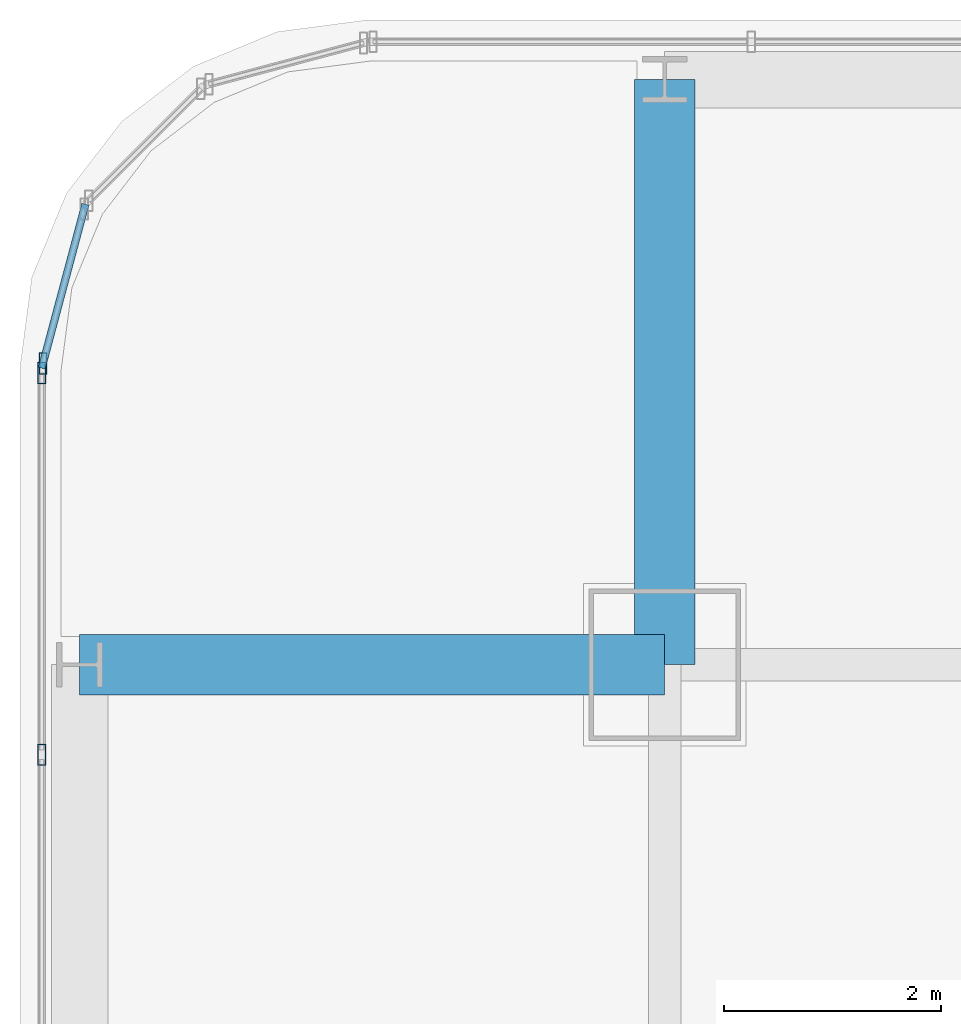
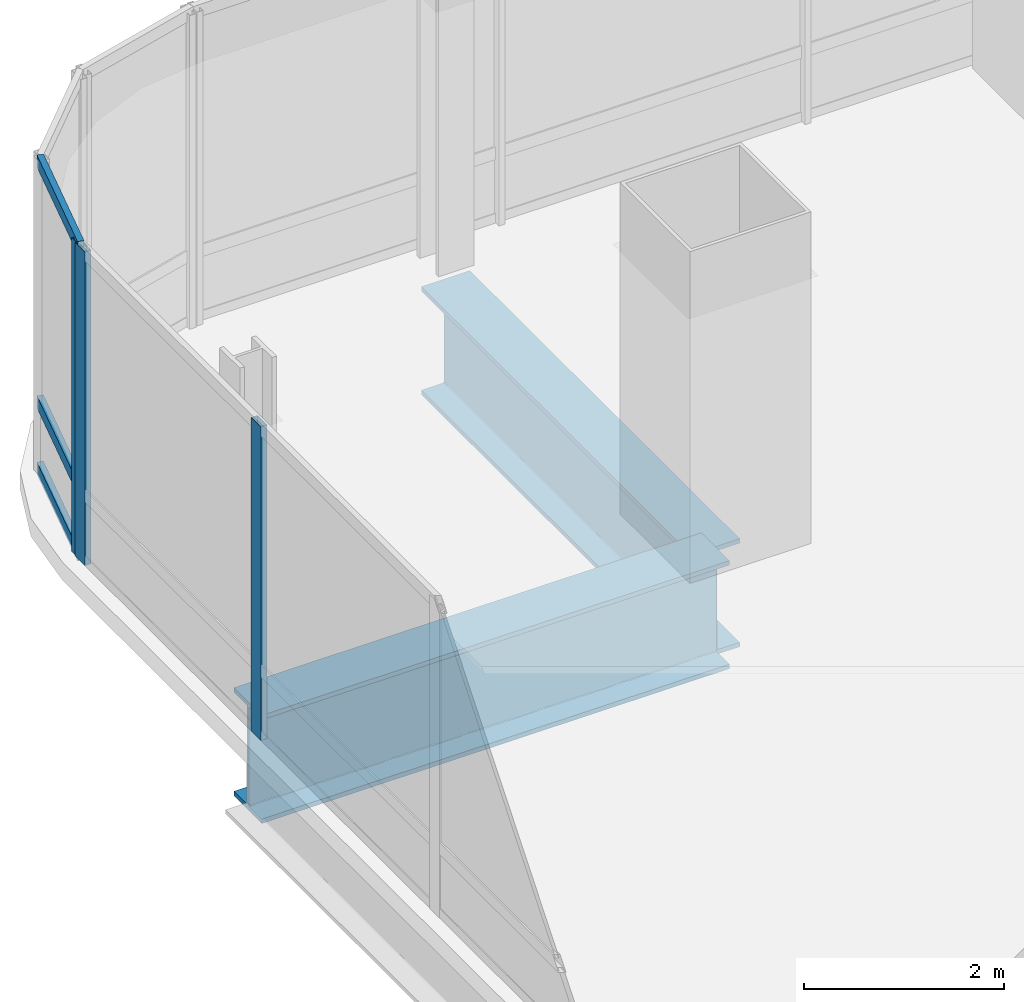
# One storey, part 19 of 38: 6 members, 2 beams, 2 elements without a shape of their own.
"""IFC4 building model written with IfcOpenShell, lengths in metres."""

from ifc_helpers import new_model, si_unit, direction, frame, origin, origin_2d, place, context, subcontext, project, spatial, hollow_rectangle, i_section, extrude, material, material_profile, profile_set, type_object, element, aggregate, save


model = new_model("IFC4")

# Units and contexts
model_context = context("Model", 3, precision=1e-05, world=origin(), true_north=direction((0.0, 1.0)))
body_context = subcontext(model_context, "Body", "Model", "MODEL_VIEW")
ifc_project = project(units=[si_unit("LENGTHUNIT", "METRE"), si_unit("AREAUNIT", "SQUARE_METRE"), si_unit("VOLUMEUNIT", "CUBIC_METRE"), si_unit("PLANEANGLEUNIT", "RADIAN"), si_unit("MASSUNIT", "GRAM", prefix="KILO")], contexts=[model_context])

# Site, building, storey
site_placement = place(None, origin())
site = spatial("IfcSite", under=ifc_project, at=site_placement, CompositionType="ELEMENT")
building_placement = place(site_placement, origin())
building = spatial("IfcBuilding", under=site, at=building_placement, Name="Punatoya Terracotta Tower", CompositionType="ELEMENT")
storey_placement = place(building_placement, frame((0.0, 0.0, 147.89990234375)))
storey = spatial("IfcBuildingStorey", under=building, at=storey_placement, Name="L34", CompositionType="ELEMENT", Elevation=147.89990234375)

# Beams
ifc_material_1 = material(Name="Steel S460", Category="steel")
ifc_material_profile_1 = material_profile(ifc_material_1, i_section(OverallWidth=0.56005859375, OverallDepth=1.320068359375, WebThickness=0.035888671875, FlangeThickness=0.054931640625, FilletRadius=0.01806640625, at=origin_2d()))
ifc_profile_set_1 = profile_set([ifc_material_profile_1], Name="Steel S460")
beam_type = type_object("IfcBeamType", Name="BM-TG-BLK", PredefinedType="BEAM", material=ifc_profile_set_1)
for number, where, z_axis, x_axis, name in (
    (1, (-24.5, 17.5, -0.8798828125), (1.0, 0.0, 0.0), (0.0, 1.0, 0.0), "BM-L34-CANT-W4"),
    (2, (-19.10009765625, 17.5, -0.8798828125), (0.0, 1.0, 0.0), (-1.0, 0.0, 0.0), "BM-L34-CANT-N1"),
):
    element("IfcBeam", number, at=place(storey_placement, frame(where, z_axis=z_axis, x_axis=x_axis)), inside=storey, type_object=beam_type, Name=name, PredefinedType="BEAM", context=body_context, shape_type="SweptSolid", body=[
        extrude(i_section(OverallWidth=0.56005859375, OverallDepth=1.320068359375, WebThickness=0.035888671875, FlangeThickness=0.054931640625, FilletRadius=0.01806640625, at=origin_2d()), origin(), (0.0, 0.0, 1.0), 5.39990234375),
    ])

# Curtain wall, member
ifc_material_2 = material(Name="Aluminium 6063-T6 + Double Low-E Glass", Category="aluminium")
curtain_wall_type = type_object("IfcCurtainWallType", Name="CW-M2", PredefinedType="NOTDEFINED", material=ifc_material_2)
curtain_wall_1_placement = place(storey_placement, origin())
curtain_wall_1 = element("IfcCurtainWall", 3, at=curtain_wall_1_placement, inside=storey, type_object=curtain_wall_type, Name="L34 Curtain Wall CW-L34-CRN12", PredefinedType="NOTDEFINED")
ifc_material_3 = material(Name="Aluminium 6063-T6", Category="aluminium")
ifc_material_profile_2 = material_profile(ifc_material_3, hollow_rectangle(XDim=0.072021484375, YDim=0.195068359375, WallThickness=0.00439453125, at=origin_2d()))
ifc_profile_set_2 = profile_set([ifc_material_profile_2], Name="Aluminium 6063-T6")
member_type_1 = type_object("IfcMemberType", Name="CW-MUL-M2", PredefinedType="MULLION", material=ifc_profile_set_2)
member_1_placement = place(storey_placement, frame((-24.83837890625, 20.280517578125, 0.0), z_axis=(0.0, 0.0, 1.0), x_axis=(1.0, 0.0, 0.0)))
member_1 = element("IfcMember", 4, at=member_1_placement, type_object=member_type_1, Name="CW-L34-CRN12 Mullion 01", PredefinedType="MULLION", context=body_context, shape_type="SweptSolid", body=[
    extrude(hollow_rectangle(XDim=0.072021484375, YDim=0.195068359375, WallThickness=0.00439453125, at=origin_2d()), origin(), (0.0, 0.0, 1.0), 3.830078125),
])

# Curtain wall, members
curtain_wall_2_placement = place(storey_placement, origin())
curtain_wall_2 = element("IfcCurtainWall", 5, at=curtain_wall_2_placement, inside=storey, type_object=curtain_wall_type, Name="L34 Curtain Wall CW-L34-W13-1", PredefinedType="NOTDEFINED")
member_2_placement = place(storey_placement, frame((-24.85009765625, 20.19189453125, 0.0), z_axis=(0.0, 0.0, 1.0), x_axis=(1.0, 0.0, 0.0)))
member_2 = element("IfcMember", 6, at=member_2_placement, type_object=member_type_1, Name="CW-L34-W13-1 Mullion 00", PredefinedType="MULLION", context=body_context, shape_type="SweptSolid", body=[
    extrude(hollow_rectangle(XDim=0.072021484375, YDim=0.195068359375, WallThickness=0.00439453125, at=origin_2d()), origin(), (0.0, 0.0, 1.0), 3.830078125),
])
member_3_placement = place(storey_placement, frame((-24.85009765625, 16.66943359375, 0.0), z_axis=(0.0, 0.0, 1.0), x_axis=(1.0, 0.0, 0.0)))
member_3 = element("IfcMember", 7, at=member_3_placement, type_object=member_type_1, Name="CW-L34-W13-1 Mullion 01", PredefinedType="MULLION", context=body_context, shape_type="SweptSolid", body=[
    extrude(hollow_rectangle(XDim=0.072021484375, YDim=0.195068359375, WallThickness=0.00439453125, at=origin_2d()), origin(), (0.0, 0.0, 1.0), 3.830078125),
])
aggregate(curtain_wall_2, [member_2, member_3])

# Member
ifc_material_profile_3 = material_profile(ifc_material_3, hollow_rectangle(XDim=0.068115234375, YDim=0.14990234375, WallThickness=0.00390625, at=origin_2d()))
ifc_profile_set_3 = profile_set([ifc_material_profile_3], Name="Aluminium 6063-T6")
member_type_2 = type_object("IfcMemberType", Name="CW-TRN-TYP", PredefinedType="USERDEFINED", material=ifc_profile_set_3)
member_4_placement = place(storey_placement, frame((-24.446533203125, 21.7490234375, 0.0400390625), z_axis=(-0.257847112249, -0.966185730957, 0.0), x_axis=(0.966185730957, -0.257847112249, 0.0)))
member_4 = element("IfcMember", 8, at=member_4_placement, type_object=member_type_2, Name="CW-L34-CRN12 Transom 1", ObjectType="TRANSOM", PredefinedType="USERDEFINED", context=body_context, shape_type="SweptSolid", body=[
    extrude(hollow_rectangle(XDim=0.068115234375, YDim=0.14990234375, WallThickness=0.00390625, at=origin_2d()), origin(), (0.0, 0.0, 1.0), 1.565185546875),
])

member_5_placement = place(storey_placement, frame((-24.446533203125, 21.7490234375, 0.85009765625), z_axis=(-0.257847112249, -0.966185730957, 0.0), x_axis=(0.966185730957, -0.257847112249, 0.0)))
member_5 = element("IfcMember", 9, at=member_5_placement, type_object=member_type_2, Name="CW-L34-CRN12 Transom 2", ObjectType="TRANSOM", PredefinedType="USERDEFINED", context=body_context, shape_type="SweptSolid", body=[
    extrude(hollow_rectangle(XDim=0.068115234375, YDim=0.14990234375, WallThickness=0.00390625, at=origin_2d()), origin(), (0.0, 0.0, 1.0), 1.565185546875),
])

member_6_placement = place(storey_placement, frame((-24.446533203125, 21.7490234375, 3.7900390625), z_axis=(-0.257847112249, -0.966185730957, 0.0), x_axis=(0.966185730957, -0.257847112249, 0.0)))
member_6 = element("IfcMember", 10, at=member_6_placement, type_object=member_type_2, Name="CW-L34-CRN12 Transom 3", ObjectType="TRANSOM", PredefinedType="USERDEFINED", context=body_context, shape_type="SweptSolid", body=[
    extrude(hollow_rectangle(XDim=0.068115234375, YDim=0.14990234375, WallThickness=0.00390625, at=origin_2d()), origin(), (0.0, 0.0, 1.0), 1.565185546875),
])

aggregate(curtain_wall_1, [member_1, member_4, member_5, member_6])

save(model, "model.ifc")
